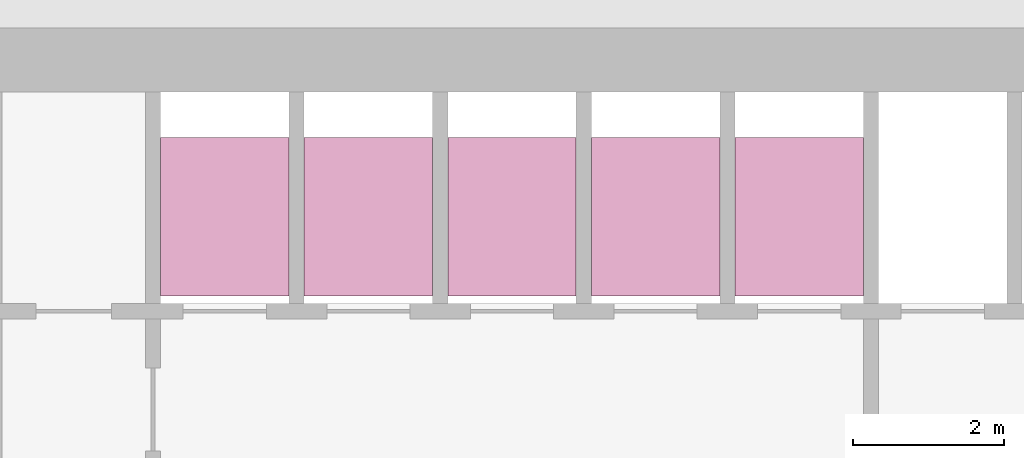
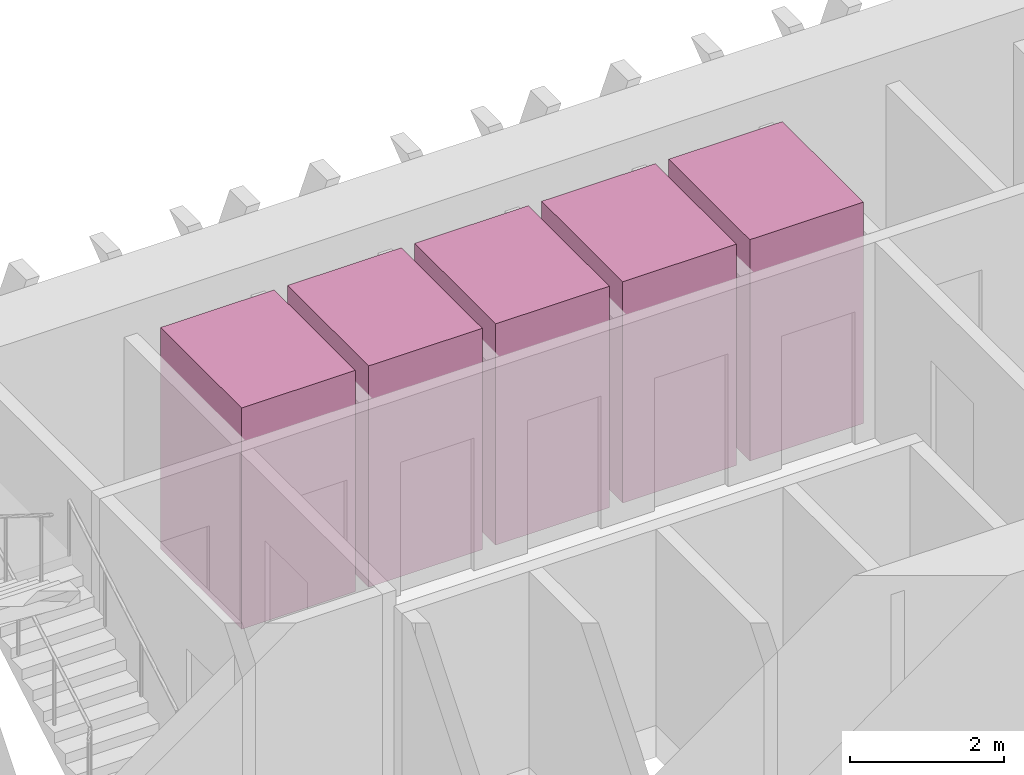
# One storey, part 18 of 18: 5 transport elements.
"""IFC4 building model written with IfcOpenShell, lengths in metres."""

from ifc_helpers import new_model, si_unit, direction, frame, origin, origin_2d, place, context, subcontext, project, spatial, rectangle, extrude, material, type_object, element, save


model = new_model("IFC4")

# Units and contexts
model_context = context("Model", 3, precision=1e-05, world=origin(), true_north=direction((0.0, 1.0)))
body_context = subcontext(model_context, "Body", "Model", "MODEL_VIEW")
ifc_project = project(units=[si_unit("LENGTHUNIT", "METRE"), si_unit("AREAUNIT", "SQUARE_METRE"), si_unit("VOLUMEUNIT", "CUBIC_METRE"), si_unit("PLANEANGLEUNIT", "RADIAN"), si_unit("MASSUNIT", "GRAM", prefix="KILO")], contexts=[model_context])

# Site, building, storey
site_placement = place(None, origin())
site = spatial("IfcSite", under=ifc_project, at=site_placement, CompositionType="ELEMENT")
building_placement = place(site_placement, origin())
building = spatial("IfcBuilding", under=site, at=building_placement, Name="Altiplano Prism Tower", CompositionType="ELEMENT")
storey_placement = place(building_placement, frame((0.0, 0.0, 37.800048828125)))
storey = spatial("IfcBuildingStorey", under=building, at=storey_placement, Name="L08", CompositionType="ELEMENT", Elevation=37.800048828125)

# Transport elements
ifc_material = material(Name="Stainless steel lift car", Category="steel")
transport_element_type = type_object("IfcTransportElementType", Name="Passenger lift car 1600 x 2100", PredefinedType="ELEVATOR", material=ifc_material)
for number, where, z_axis, x_axis, name in (
    (1, (79.050048828125, 101.75, 0.050048828125), (0.0, 0.0, 1.0), (1.0, 0.0, 0.0), "Low Zone Passenger Lift 1"),
    (2, (80.949951171875, 101.75, 0.050048828125), (0.0, 0.0, 1.0), (1.0, 0.0, 0.0), "Low Zone Passenger Lift 2"),
    (3, (82.85009765625, 101.75, 0.050048828125), (0.0, 0.0, 1.0), (1.0, 0.0, 0.0), "Low Zone Passenger Lift 3"),
    (4, (84.75, 101.75, 0.050048828125), (0.0, 0.0, 1.0), (1.0, 0.0, 0.0), "Low Zone Passenger Lift 4"),
    (5, (86.64990234375, 101.75, 0.050048828125), (0.0, 0.0, 1.0), (1.0, 0.0, 0.0), "Low Zone Passenger Lift 5"),
):
    element("IfcTransportElement", number, at=place(storey_placement, frame(where, z_axis=z_axis, x_axis=x_axis)), inside=storey, type_object=transport_element_type, Name=name, PredefinedType="ELEVATOR", context=body_context, shape_type="SweptSolid", body=[
        extrude(rectangle(XDim=1.699951171875, YDim=2.10009765625, at=origin_2d()), origin(), (0.0, 0.0, 1.0), 3.5),
    ])

save(model, "model.ifc")
